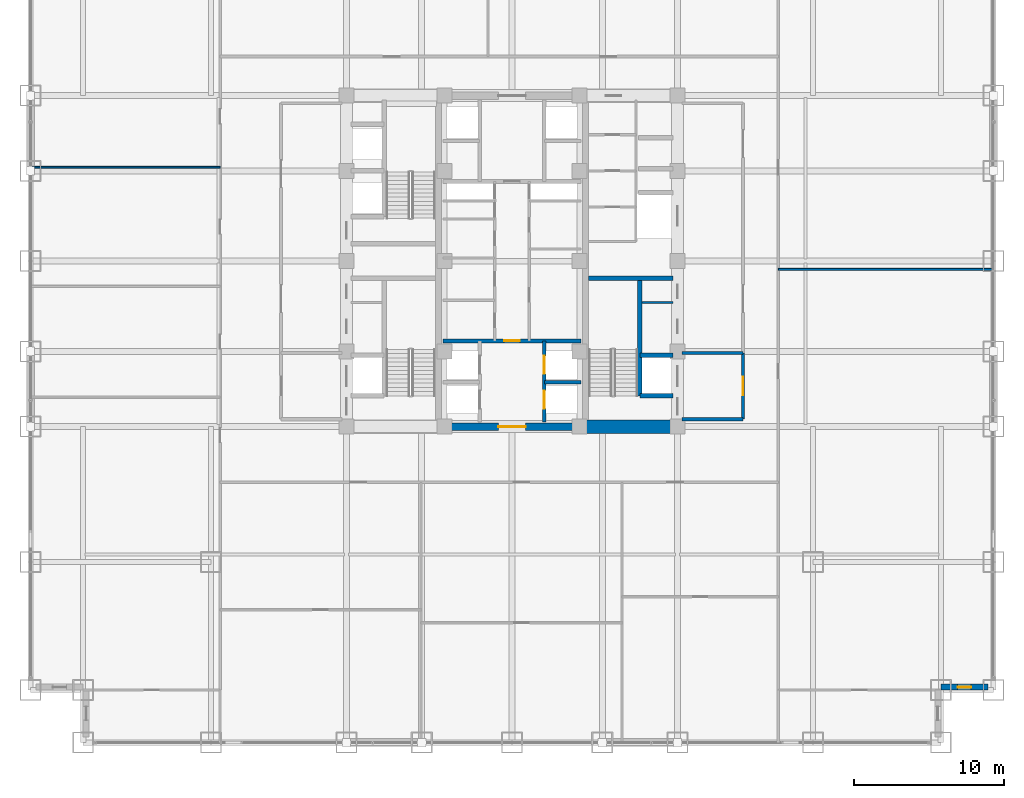
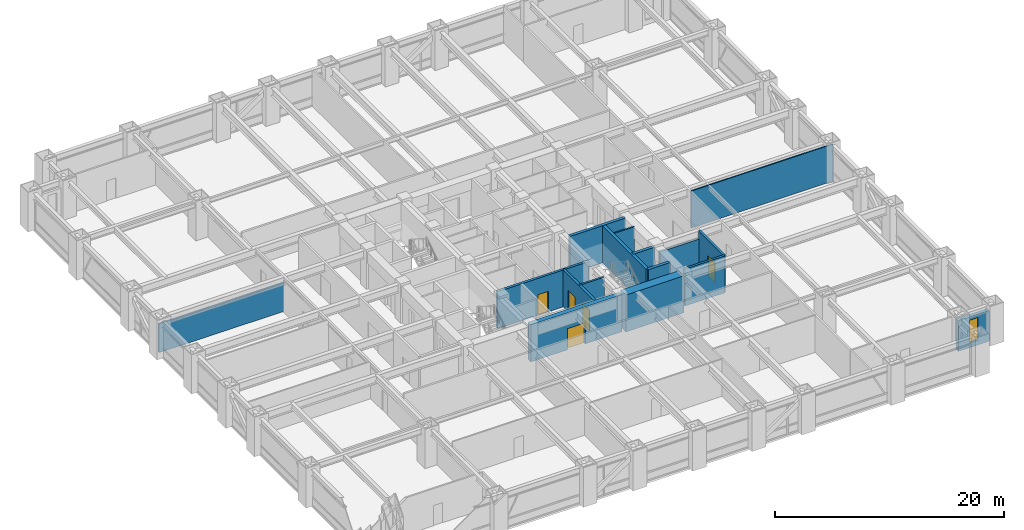
# One storey, part 24 of 28: 16 walls, 5 doors, 1 window, 6 openings.
"""IFC4 building model written with IfcOpenShell, lengths in metres."""

from ifc_helpers import new_model, si_unit, direction, frame, frame_2d, origin, place, context, subcontext, project, spatial, rectangle, extrude, source, transform, mapped, material, layer, layer_set, type_object, element, fill, save


model = new_model("IFC4")

# Units and contexts
model_context = context("Model", 3, precision=1e-05, world=origin(), true_north=direction((0.0, 1.0)))
body_context = subcontext(model_context, "Body", "Model", "MODEL_VIEW")
ifc_project = project(units=[si_unit("LENGTHUNIT", "METRE"), si_unit("AREAUNIT", "SQUARE_METRE"), si_unit("VOLUMEUNIT", "CUBIC_METRE"), si_unit("PLANEANGLEUNIT", "RADIAN"), si_unit("MASSUNIT", "GRAM", prefix="KILO")], contexts=[model_context])

# Site, building, storey
site_placement = place(None, origin())
site = spatial("IfcSite", under=ifc_project, at=site_placement, CompositionType="ELEMENT")
building_placement = place(site_placement, origin())
building = spatial("IfcBuilding", under=site, at=building_placement, Name="Khorayat Bourse Tower", CompositionType="ELEMENT")
storey_placement = place(building_placement, frame((0.0, 0.0, 62.0)))
storey = spatial("IfcBuildingStorey", under=building, at=storey_placement, Name="L13", CompositionType="ELEMENT", Elevation=62.0)

# Walls
ifc_material_1 = material(Name="Concrete C72/90", Category="concrete")
ifc_layer_1 = layer(ifc_material_1, 0.89990234375)
ifc_layer_set_1 = layer_set([ifc_layer_1], Name="Concrete C72/90")
wall_type_1 = type_object("IfcWallType", Name="WAL-CORE-900", PredefinedType="SHEAR", material=ifc_layer_set_1)
shared_shape_1 = source(origin(), body_context, "Body", "SweptSolid", [
    extrude(rectangle(XDim=5.849853515625, YDim=0.89990234375, at=frame_2d((2.9248046875, 0.0))), origin(), (0.0, 0.0, 1.0), 3.93994140625),
])
wall_1_placement = place(storey_placement, frame((4.85009765625, -11.0, 0.0), z_axis=(0.0, 0.0, 1.0), x_axis=(1.0, 0.0, 0.0)))
element("IfcWall", 1, at=wall_1_placement, inside=storey, type_object=wall_type_1, Name="L13 Core Shear Wall PIER-ES", PredefinedType="SHEAR", context=body_context, shape_type="MappedRepresentation", body=[
    mapped(shared_shape_1, transform((0.0, 0.0, 0.0), scale=1.0)),
])
ifc_material_2 = material(Name="Concrete C50/60", Category="concrete")
ifc_layer_2 = layer(ifc_material_2, 0.300048828125)
ifc_layer_set_2 = layer_set([ifc_layer_2], Name="Concrete C50/60")
wall_type_2 = type_object("IfcWallType", Name="WAL-SHAFT-300", PredefinedType="SHEAR", material=ifc_layer_set_2)
shared_shape_2 = source(origin(), body_context, "Body", "SweptSolid", [
    extrude(rectangle(XDim=5.599853515625, YDim=0.300048828125, at=frame_2d((2.7998046875, 0.0))), origin(), (0.0, 0.0, 1.0), 3.93994140625),
])
wall_2_placement = place(storey_placement, frame((5.10009765625, -1.14990234375, 0.0), z_axis=(0.0, 0.0, 1.0), x_axis=(1.0, 0.0, 0.0)))
element("IfcWall", 2, at=wall_2_placement, inside=storey, type_object=wall_type_2, Name="L13 Core Shear Wall ST3-DIV", PredefinedType="SHEAR", context=body_context, shape_type="MappedRepresentation", body=[
    mapped(shared_shape_2, transform((0.0, 0.0, 0.0), scale=1.0)),
])

# Wall, opening, door
ifc_material_3 = material(Name="Concrete C52/65", Category="concrete")
ifc_layer_3 = layer(ifc_material_3, 0.5)
ifc_layer_set_3 = layer_set([ifc_layer_3], Name="Concrete C52/65")
wall_type_3 = type_object("IfcWallType", Name="WAL-CORE-500", PredefinedType="SHEAR", material=ifc_layer_set_3)
shared_shape_3 = source(origin(), body_context, "Body", "SweptSolid", [
    extrude(rectangle(XDim=9.2001953125, YDim=0.5, at=frame_2d((4.60009765625, 0.0))), origin(), (0.0, 0.0, 1.0), 3.93994140625),
])
wall_3_placement = place(storey_placement, frame((-4.60009765625, -11.0, 0.0), z_axis=(0.0, 0.0, 1.0), x_axis=(1.0, 0.0, 0.0)))
wall_3 = element("IfcWall", 3, at=wall_3_placement, inside=storey, type_object=wall_type_3, Name="L13 Core Shear Wall CORE-S", PredefinedType="SHEAR", context=body_context, shape_type="MappedRepresentation", body=[
    mapped(shared_shape_3, transform((0.0, 0.0, 0.0), scale=1.0)),
])
shared_shape_4 = source(origin(), body_context, "Body", "SweptSolid", [
    extrude(rectangle(XDim=1.800048828125, YDim=2.25, at=frame_2d((0.89990234375, 1.125))), frame((0.0, 0.260009765625, 0.0), z_axis=(0.0, -1.0, 0.0), x_axis=(1.0, 0.0, 0.0)), (0.0, 0.0, 1.0), 0.52001953125),
])
opening_1_placement = place(wall_3_placement, frame((3.699951171875, 0.0, 0.0)))
opening_1 = element("IfcOpeningElement", 4, at=opening_1_placement, cuts=wall_3, Name="Opening DI-03", PredefinedType="OPENING", context=body_context, shape_type="MappedRepresentation", body=[
    mapped(shared_shape_4, transform((0.0, 0.0, 0.0), scale=1.0)),
])
ifc_material_4 = material(Name="Fire-rated hardwood vision-panel double leaf", Category="wood")
door_type_1 = type_object("IfcDoorType", Name="DR-INT-CORR-1800", OperationType="NOTDEFINED", PredefinedType="DOOR", material=ifc_material_4)
shared_shape_5 = source(origin(), body_context, "Body", "SweptSolid", [
    extrude(rectangle(XDim=1.800048828125, YDim=2.25, at=frame_2d((0.89990234375, 1.125))), frame((0.0, 0.02490234375, 0.0), z_axis=(0.0, -1.0, 0.0), x_axis=(1.0, 0.0, 0.0)), (0.0, 0.0, 1.0), 0.050048828125),
])
door_1_placement = place(opening_1_placement, origin())
door_1 = element("IfcDoor", 5, at=door_1_placement, inside=storey, type_object=door_type_1, Name="L13 Low-Rise Lift Lobby Door", OperationType="SINGLE_SWING_LEFT", OverallHeight=2.25, OverallWidth=1.800048828125, PredefinedType="DOOR", context=body_context, shape_type="MappedRepresentation", body=[
    mapped(shared_shape_5, transform((0.0, 0.0, 0.0), scale=1.0)),
])
fill(opening_1, door_1)

# Wall, opening, window
ifc_material_5 = material(Name="Precast concrete C45/55", Category="concrete")
ifc_layer_4 = layer(ifc_material_5, 0.3798828125)
ifc_layer_set_4 = layer_set([ifc_layer_4], Name="Precast concrete C45/55")
wall_type_4 = type_object("IfcWallType", Name="WAL-EXT-STONE-380", PredefinedType="STANDARD", material=ifc_layer_set_4)
shared_shape_6 = source(origin(), body_context, "Body", "SweptSolid", [
    extrude(rectangle(XDim=3.1201171875, YDim=0.3798828125, at=frame_2d((1.56005859375, 0.0))), origin(), (0.0, 0.0, 1.0), 3.2451171875),
])
wall_4_placement = place(storey_placement, frame((28.5, -28.31005859375, 0.0), z_axis=(0.0, 0.0, 1.0), x_axis=(1.0, 0.0, 0.0)))
wall_4 = element("IfcWall", 6, at=wall_4_placement, inside=storey, type_object=wall_type_4, Name="L13 Re-Entrant Notch Limestone Wall SE-H", PredefinedType="STANDARD", context=body_context, shape_type="MappedRepresentation", body=[
    mapped(shared_shape_6, transform((0.0, 0.0, 0.0), scale=1.0)),
])
shared_shape_7 = source(origin(), body_context, "Body", "SweptSolid", [
    extrude(rectangle(XDim=0.89990234375, YDim=2.39990234375, at=frame_2d((0.449951171875, 1.199951171875))), frame((0.0, 0.199951171875, 0.0), z_axis=(0.0, -1.0, 0.0), x_axis=(1.0, 0.0, 0.0)), (0.0, 0.0, 1.0), 0.39990234375),
])
opening_2_placement = place(wall_4_placement, frame((1.110107421875, 0.0, 0.5)))
opening_2 = element("IfcOpeningElement", 7, at=opening_2_placement, cuts=wall_4, Name="Opening WN-03", PredefinedType="OPENING", context=body_context, shape_type="MappedRepresentation", body=[
    mapped(shared_shape_7, transform((0.0, 0.0, 0.0), scale=1.0)),
])
ifc_material_6 = material(Name="Deep-reveal solar-control double glazing", Category="glass")
window_type = type_object("IfcWindowType", Name="WIN-SLOT-900x2400", PartitioningType="SINGLE_PANEL", PredefinedType="WINDOW", material=ifc_material_6)
shared_shape_8 = source(origin(), body_context, "Body", "SweptSolid", [
    extrude(rectangle(XDim=0.89990234375, YDim=2.39990234375, at=frame_2d((0.449951171875, 1.199951171875))), frame((0.0, 0.030029296875, 0.0), z_axis=(0.0, -1.0, 0.0), x_axis=(1.0, 0.0, 0.0)), (0.0, 0.0, 1.0), 0.06005859375),
])
window_placement = place(opening_2_placement, origin())
window = element("IfcWindow", 8, at=window_placement, inside=storey, type_object=window_type, Name="L13 Facade Window 1", OverallHeight=2.39990234375, OverallWidth=0.89990234375, PartitioningType="SINGLE_PANEL", PredefinedType="WINDOW", context=body_context, shape_type="MappedRepresentation", body=[
    mapped(shared_shape_8, transform((0.0, 0.0, 0.0), scale=1.0)),
])
fill(opening_2, window)

# Walls
shared_shape_9 = source(origin(), body_context, "Body", "SweptSolid", [
    extrude(rectangle(XDim=7.800048828125, YDim=0.300048828125, at=frame_2d((3.89990234375, 0.0))), origin(), (0.0, 0.0, 1.0), 3.93994140625),
])
wall_5_placement = place(storey_placement, frame((8.5, -8.949951171875, 0.0), z_axis=(0.0, 0.0, 1.0), x_axis=(0.0, 1.0, 0.0)))
element("IfcWall", 9, at=wall_5_placement, inside=storey, type_object=wall_type_2, Name="L13 Partition WAL-L13-EPIER-SP", PredefinedType="SHEAR", context=body_context, shape_type="MappedRepresentation", body=[
    mapped(shared_shape_9, transform((0.0, 0.0, 0.0), scale=1.0)),
])
shared_shape_10 = source(origin(), body_context, "Body", "SweptSolid", [
    extrude(rectangle(XDim=2.199951171875, YDim=0.300048828125, at=frame_2d((1.10009765625, 0.0))), origin(), (0.0, 0.0, 1.0), 3.93994140625),
])
for number, where, z_axis, x_axis, name in (
    (10, (8.5, -8.949951171875, 0.0), (0.0, 0.0, 1.0), (1.0, 0.0, 0.0), "L13 Partition WAL-L13-EPIER-FF2S"),
    (11, (8.5, -6.25, 0.0), (0.0, 0.0, 1.0), (1.0, 0.0, 0.0), "L13 Partition WAL-L13-EPIER-FF2N"),
):
    element("IfcWall", number, at=place(storey_placement, frame(where, z_axis=z_axis, x_axis=x_axis)), inside=storey, type_object=wall_type_2, Name=name, PredefinedType="SHEAR", context=body_context, shape_type="MappedRepresentation", body=[
        mapped(shared_shape_10, transform((0.0, 0.0, 0.0), scale=1.0)),
    ])
ifc_material_7 = material(Name="Gypsum plasterboard twin-frame partition")
ifc_layer_5 = layer(ifc_material_7, 0.14990234375)
ifc_layer_set_5 = layer_set([ifc_layer_5], Name="Gypsum plasterboard twin-frame partition")
wall_type_5 = type_object("IfcWallType", Name="WAL-PART-SUITE-150", PredefinedType="PARTITIONING", material=ifc_layer_set_5)
shared_shape_11 = source(origin(), body_context, "Body", "SweptSolid", [
    extrude(rectangle(XDim=2.050048828125, YDim=0.14990234375, at=frame_2d((1.02490234375, 0.0))), origin(), (0.0, 0.0, 1.0), 3.93994140625),
])
wall_6_placement = place(storey_placement, frame((8.64990234375, -2.75, 0.0), z_axis=(0.0, 0.0, 1.0), x_axis=(1.0, 0.0, 0.0)))
element("IfcWall", 12, at=wall_6_placement, inside=storey, type_object=wall_type_5, Name="L13 Partition WAL-L13-ESRV-D1", PredefinedType="PARTITIONING", context=body_context, shape_type="MappedRepresentation", body=[
    mapped(shared_shape_11, transform((0.0, 0.0, 0.0), scale=1.0)),
])
ifc_material_8 = material(Name="Aerated concrete blockwork", Category="masonry")
ifc_layer_6 = layer(ifc_material_8, 0.219970703125)
ifc_layer_set_6 = layer_set([ifc_layer_6], Name="Aerated concrete blockwork")
wall_type_6 = type_object("IfcWallType", Name="WAL-PART-FF-220", PredefinedType="PARTITIONING", material=ifc_layer_set_6)
shared_shape_12 = source(origin(), body_context, "Body", "SweptSolid", [
    extrude(rectangle(XDim=4.050048828125, YDim=0.219970703125, at=frame_2d((2.02490234375, 0.0))), origin(), (0.0, 0.0, 1.0), 3.93994140625),
])
wall_7_placement = place(storey_placement, frame((11.300048828125, -10.5, 0.0), z_axis=(0.0, 0.0, 1.0), x_axis=(1.0, 0.0, 0.0)))
element("IfcWall", 13, at=wall_7_placement, inside=storey, type_object=wall_type_6, Name="L13 Partition WAL-L13-FFLE-S", PredefinedType="PARTITIONING", context=body_context, shape_type="MappedRepresentation", body=[
    mapped(shared_shape_12, transform((0.0, 0.0, 0.0), scale=1.0)),
])
shared_shape_13 = source(origin(), body_context, "Body", "SweptSolid", [
    extrude(rectangle(XDim=4.050048828125, YDim=0.219970703125, at=frame_2d((2.02490234375, 0.0))), origin(), (0.0, 0.0, 1.0), 3.0849609375),
])
wall_8_placement = place(storey_placement, frame((11.300048828125, -6.10009765625, 0.0), z_axis=(0.0, 0.0, 1.0), x_axis=(1.0, 0.0, 0.0)))
element("IfcWall", 14, at=wall_8_placement, inside=storey, type_object=wall_type_6, Name="L13 Partition WAL-L13-FFLE-N", PredefinedType="PARTITIONING", context=body_context, shape_type="MappedRepresentation", body=[
    mapped(shared_shape_13, transform((0.0, 0.0, 0.0), scale=1.0)),
])

# Wall, opening, door
shared_shape_14 = source(origin(), body_context, "Body", "SweptSolid", [
    extrude(rectangle(XDim=4.39990234375, YDim=0.219970703125, at=frame_2d((2.199951171875, 0.0))), origin(), (0.0, 0.0, 1.0), 3.93994140625),
])
wall_9_placement = place(storey_placement, frame((15.35009765625, -10.5, 0.0), z_axis=(0.0, 0.0, 1.0), x_axis=(0.0, 1.0, 0.0)))
wall_9 = element("IfcWall", 15, at=wall_9_placement, inside=storey, type_object=wall_type_6, Name="L13 Partition WAL-L13-FFLE-E", PredefinedType="PARTITIONING", context=body_context, shape_type="MappedRepresentation", body=[
    mapped(shared_shape_14, transform((0.0, 0.0, 0.0), scale=1.0)),
])
shared_shape_15 = source(origin(), body_context, "Body", "SweptSolid", [
    extrude(rectangle(XDim=1.199951171875, YDim=2.199951171875, at=frame_2d((0.60009765625, 1.10009765625))), frame((0.0, 0.119873046875, 0.0), z_axis=(0.0, -1.0, 0.0), x_axis=(1.0, 0.0, 0.0)), (0.0, 0.0, 1.0), 0.239990234375),
])
opening_3_placement = place(wall_9_placement, frame((1.60009765625, 0.0, 0.0)))
opening_3 = element("IfcOpeningElement", 16, at=opening_3_placement, cuts=wall_9, Name="Opening DI-02", PredefinedType="OPENING", context=body_context, shape_type="MappedRepresentation", body=[
    mapped(shared_shape_15, transform((0.0, 0.0, 0.0), scale=1.0)),
])
ifc_material_9 = material(Name="Fire-rated steel double-seal leaf", Category="steel")
door_type_2 = type_object("IfcDoorType", Name="DR-INT-FFLOBBY-1200", OperationType="NOTDEFINED", PredefinedType="DOOR", material=ifc_material_9)
shared_shape_16 = source(origin(), body_context, "Body", "SweptSolid", [
    extrude(rectangle(XDim=1.199951171875, YDim=2.199951171875, at=frame_2d((0.60009765625, 1.10009765625))), frame((0.0, 0.02490234375, 0.0), z_axis=(0.0, -1.0, 0.0), x_axis=(1.0, 0.0, 0.0)), (0.0, 0.0, 1.0), 0.050048828125),
])
door_2_placement = place(opening_3_placement, origin())
door_2 = element("IfcDoor", 17, at=door_2_placement, inside=storey, type_object=door_type_2, Name="L13 East Firefighting Lobby Door", OperationType="SINGLE_SWING_RIGHT", OverallHeight=2.199951171875, OverallWidth=1.199951171875, PredefinedType="DOOR", context=body_context, shape_type="MappedRepresentation", body=[
    mapped(shared_shape_16, transform((0.0, 0.0, 0.0), scale=1.0)),
])
fill(opening_3, door_2)

# Wall, openings, doors
shared_shape_17 = source(origin(), body_context, "Body", "SweptSolid", [
    extrude(rectangle(XDim=5.39990234375, YDim=0.25, at=frame_2d((2.699951171875, 0.0))), origin(), (0.0, 0.0, 1.0), 3.93994140625),
])
wall_10_placement = place(storey_placement, frame((2.14990234375, -10.699951171875, 0.0), z_axis=(0.0, 0.0, 1.0), x_axis=(0.0, 1.0, 0.0)))
wall_10 = element("IfcWall", 18, at=wall_10_placement, inside=storey, type_object=wall_type_2, Name="L13 Partition WAL-L13-B1-E", PredefinedType="SHEAR", context=body_context, shape_type="MappedRepresentation", body=[
    mapped(shared_shape_17, transform((0.0, 0.0, 0.0), scale=1.0)),
])
shared_shape_18 = source(origin(), body_context, "Body", "SweptSolid", [
    extrude(rectangle(XDim=1.199951171875, YDim=2.300048828125, at=frame_2d((0.60009765625, 1.14990234375))), frame((0.0, 0.135009765625, 0.0), z_axis=(0.0, -1.0, 0.0), x_axis=(1.0, 0.0, 0.0)), (0.0, 0.0, 1.0), 0.27001953125),
])
opening_4_placement = place(wall_10_placement, frame((0.89990234375, 0.0, 0.0)))
opening_4 = element("IfcOpeningElement", 19, at=opening_4_placement, cuts=wall_10, Name="Opening LD-01", PredefinedType="OPENING", context=body_context, shape_type="MappedRepresentation", body=[
    mapped(shared_shape_18, transform((0.0, 0.0, 0.0), scale=1.0)),
])
opening_5_placement = place(wall_10_placement, frame((3.199951171875, 0.0, 0.0)))
opening_5 = element("IfcOpeningElement", 20, at=opening_5_placement, cuts=wall_10, Name="Opening LD-01", PredefinedType="OPENING", context=body_context, shape_type="MappedRepresentation", body=[
    mapped(shared_shape_18, transform((0.0, 0.0, 0.0), scale=1.0)),
])
ifc_material_10 = material(Name="Brushed bronze stainless-steel sliding door", Category="steel")
door_type_3 = type_object("IfcDoorType", Name="DR-LIFT-PASS-1200", OperationType="NOTDEFINED", PredefinedType="DOOR", material=ifc_material_10)
shared_shape_19 = source(origin(), body_context, "Body", "SweptSolid", [
    extrude(rectangle(XDim=1.199951171875, YDim=2.300048828125, at=frame_2d((0.60009765625, 1.14990234375))), frame((0.0, 0.02490234375, 0.0), z_axis=(0.0, -1.0, 0.0), x_axis=(1.0, 0.0, 0.0)), (0.0, 0.0, 1.0), 0.050048828125),
])
door_3_placement = place(opening_4_placement, origin())
door_3 = element("IfcDoor", 21, at=door_3_placement, inside=storey, type_object=door_type_3, Name="L13 Lift PL-L2 Sliding Landing Door", OperationType="SLIDING_TO_LEFT", OverallHeight=2.300048828125, OverallWidth=1.199951171875, PredefinedType="DOOR", context=body_context, shape_type="MappedRepresentation", body=[
    mapped(shared_shape_19, transform((0.0, 0.0, 0.0), scale=1.0)),
])
fill(opening_4, door_3)
door_4_placement = place(opening_5_placement, origin())
door_4 = element("IfcDoor", 22, at=door_4_placement, inside=storey, type_object=door_type_3, Name="L13 Lift PL-L4 Sliding Landing Door", OperationType="SLIDING_TO_LEFT", OverallHeight=2.300048828125, OverallWidth=1.199951171875, PredefinedType="DOOR", context=body_context, shape_type="MappedRepresentation", body=[
    mapped(shared_shape_19, transform((0.0, 0.0, 0.0), scale=1.0)),
])
fill(opening_5, door_4)

# Wall
shared_shape_20 = source(origin(), body_context, "Body", "SweptSolid", [
    extrude(rectangle(XDim=2.4501953125, YDim=0.199951171875, at=frame_2d((1.22509765625, 0.0))), origin(), (0.0, 0.0, 1.0), 3.93994140625),
])
wall_11_placement = place(storey_placement, frame((2.14990234375, -8.050048828125, 0.0), z_axis=(0.0, 0.0, 1.0), x_axis=(1.0, 0.0, 0.0)))
element("IfcWall", 23, at=wall_11_placement, inside=storey, type_object=wall_type_2, Name="L13 Partition WAL-L13-B1-ME", PredefinedType="SHEAR", context=body_context, shape_type="MappedRepresentation", body=[
    mapped(shared_shape_20, transform((0.0, 0.0, 0.0), scale=1.0)),
])

# Wall, opening, door
shared_shape_21 = source(origin(), body_context, "Body", "SweptSolid", [
    extrude(rectangle(XDim=9.2001953125, YDim=0.25, at=frame_2d((4.60009765625, 0.0))), origin(), (0.0, 0.0, 1.0), 3.93994140625),
])
wall_12_placement = place(storey_placement, frame((-4.60009765625, -5.300048828125, 0.0), z_axis=(0.0, 0.0, 1.0), x_axis=(1.0, 0.0, 0.0)))
wall_12 = element("IfcWall", 24, at=wall_12_placement, inside=storey, type_object=wall_type_2, Name="L13 Partition WAL-L13-B1-N", PredefinedType="SHEAR", context=body_context, shape_type="MappedRepresentation", body=[
    mapped(shared_shape_21, transform((0.0, 0.0, 0.0), scale=1.0)),
])
shared_shape_22 = source(origin(), body_context, "Body", "SweptSolid", [
    extrude(rectangle(XDim=1.050048828125, YDim=2.199951171875, at=frame_2d((0.52490234375, 1.10009765625))), frame((0.0, 0.135009765625, 0.0), z_axis=(0.0, -1.0, 0.0), x_axis=(1.0, 0.0, 0.0)), (0.0, 0.0, 1.0), 0.27001953125),
])
opening_6_placement = place(wall_12_placement, frame((4.074951171875, 0.0, 0.0)))
opening_6 = element("IfcOpeningElement", 25, at=opening_6_placement, cuts=wall_12, Name="Opening DI-04", PredefinedType="OPENING", context=body_context, shape_type="MappedRepresentation", body=[
    mapped(shared_shape_22, transform((0.0, 0.0, 0.0), scale=1.0)),
])
ifc_material_11 = material(Name="Fire-rated oak veneer suite entrance door")
door_type_4 = type_object("IfcDoorType", Name="DR-INT-SUITE-1050", OperationType="NOTDEFINED", PredefinedType="DOOR", material=ifc_material_11)
shared_shape_23 = source(origin(), body_context, "Body", "SweptSolid", [
    extrude(rectangle(XDim=1.050048828125, YDim=2.199951171875, at=frame_2d((0.52490234375, 1.10009765625))), frame((0.0, 0.02490234375, 0.0), z_axis=(0.0, -1.0, 0.0), x_axis=(1.0, 0.0, 0.0)), (0.0, 0.0, 1.0), 0.050048828125),
])
door_5_placement = place(opening_6_placement, origin())
door_5 = element("IfcDoor", 26, at=door_5_placement, inside=storey, type_object=door_type_4, Name="L13 Core Spine South Door", OperationType="SINGLE_SWING_LEFT", OverallHeight=2.199951171875, OverallWidth=1.050048828125, PredefinedType="DOOR", context=body_context, shape_type="MappedRepresentation", body=[
    mapped(shared_shape_23, transform((0.0, 0.0, 0.0), scale=1.0)),
])
fill(opening_6, door_5)

# Walls
ifc_material_12 = material(Name="Gypsum plasterboard partition")
ifc_layer_7 = layer(ifc_material_12, 0.125)
ifc_layer_set_7 = layer_set([ifc_layer_7], Name="Gypsum plasterboard partition")
wall_type_7 = type_object("IfcWallType", Name="WAL-PART-ROOM-125", PredefinedType="PARTITIONING", material=ifc_layer_set_7)
shared_shape_24 = source(origin(), body_context, "Body", "SweptSolid", [
    extrude(rectangle(XDim=12.60009765625, YDim=0.125, at=frame_2d((6.300048828125, 0.0))), origin(), (0.0, 0.0, 1.0), 3.0849609375),
])
wall_13_placement = place(storey_placement, frame((-32.0, 6.241943359375, 0.0), z_axis=(0.0, 0.0, 1.0), x_axis=(1.0, 0.0, 0.0)))
element("IfcWall", 27, at=wall_13_placement, inside=storey, type_object=wall_type_7, Name="L13 Partition WAL-L13-WDV-3", PredefinedType="PARTITIONING", context=body_context, shape_type="MappedRepresentation", body=[
    mapped(shared_shape_24, transform((0.0, 0.0, 0.0), scale=1.0)),
])
shared_shape_25 = source(origin(), body_context, "Body", "SweptSolid", [
    extrude(rectangle(XDim=14.300048828125, YDim=0.125, at=frame_2d((7.14990234375, 0.0))), origin(), (0.0, 0.0, 1.0), 3.93994140625),
])
wall_14_placement = place(storey_placement, frame((17.699951171875, -0.550048828125, 0.0), z_axis=(0.0, 0.0, 1.0), x_axis=(1.0, 0.0, 0.0)))
element("IfcWall", 28, at=wall_14_placement, inside=storey, type_object=wall_type_7, Name="L13 Partition WAL-L13-EDV-1", PredefinedType="PARTITIONING", context=body_context, shape_type="MappedRepresentation", body=[
    mapped(shared_shape_25, transform((0.0, 0.0, 0.0), scale=1.0)),
])

save(model, "model.ifc")
